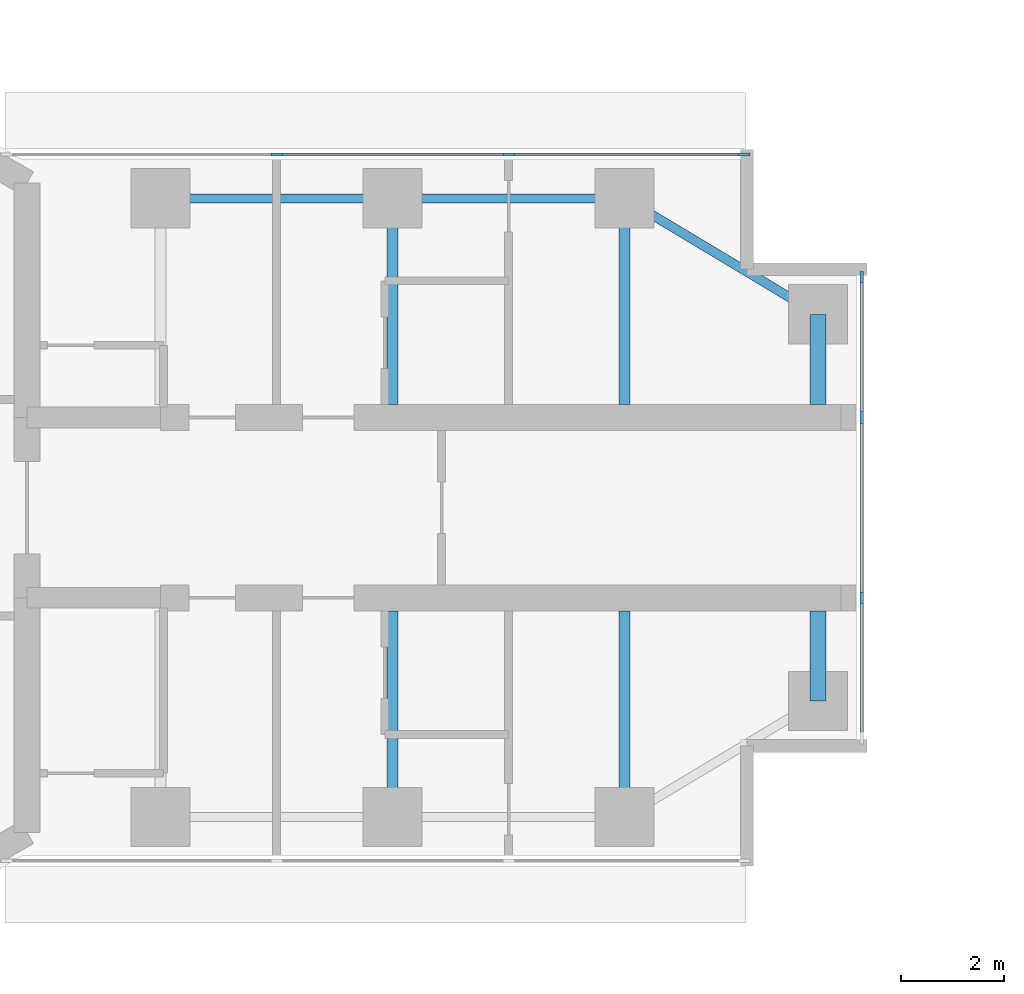
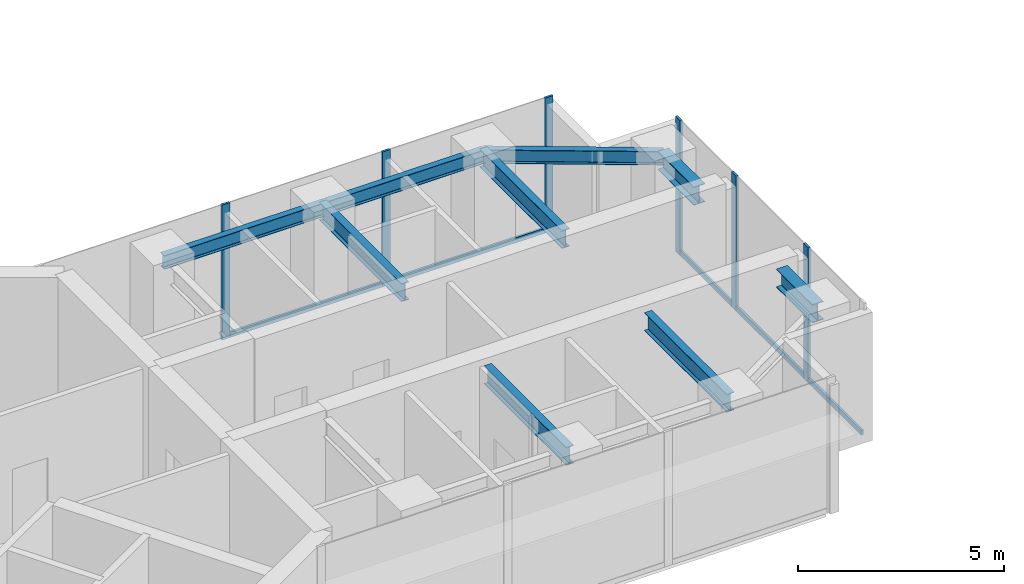
# One storey, part 7 of 17: 11 members, 9 beams, 2 elements without a shape of their own.
"""IFC4 building model written with IfcOpenShell, lengths in metres."""

from ifc_helpers import new_model, si_unit, direction, frame, origin, origin_2d, place, context, subcontext, project, spatial, rectangle, i_section, extrude, material, material_profile, profile_set, type_object, element, aggregate, save


model = new_model("IFC4")

# Units and contexts
model_context = context("Model", 3, precision=1e-05, world=origin(), true_north=direction((0.0, 1.0)))
body_context = subcontext(model_context, "Body", "Model", "MODEL_VIEW")
ifc_project = project(units=[si_unit("LENGTHUNIT", "METRE"), si_unit("AREAUNIT", "SQUARE_METRE"), si_unit("VOLUMEUNIT", "CUBIC_METRE"), si_unit("PLANEANGLEUNIT", "RADIAN"), si_unit("MASSUNIT", "GRAM", prefix="KILO")], contexts=[model_context])

# Site, building, storey
site_placement = place(None, origin())
site = spatial("IfcSite", under=ifc_project, at=site_placement, CompositionType="ELEMENT")
building_placement = place(site_placement, origin())
building = spatial("IfcBuilding", under=site, at=building_placement, Name="Upepo Twin Towers", CompositionType="ELEMENT")
storey_placement = place(building_placement, frame((0.0, 0.0, 206.5)))
storey = spatial("IfcBuildingStorey", under=building, at=storey_placement, Name="L50", CompositionType="ELEMENT", Elevation=206.5)

# Beams
ifc_material_1 = material(Name="Steel S355", Category="steel")
ifc_material_profile_1 = material_profile(ifc_material_1, i_section(OverallWidth=0.177978515625, OverallDepth=0.406494140625, WebThickness=0.0078125, FlangeThickness=0.0126953125, FilletRadius=0.01025390625, at=origin_2d()), Name="UB 406x178x60")
ifc_profile_set_1 = profile_set([ifc_material_profile_1], Name="Steel S355")
beam_type_1 = type_object("IfcBeamType", Name="Beam UB 406x178x60", PredefinedType="BEAM", material=ifc_profile_set_1)
for number, where, z_axis, x_axis, name in (
    (1, (13.5, 6.0, 3.5966796875), (1.0, 0.0, 0.0), (0.0, 1.0, 0.0), "T1 edge beam AL 13.5-18.0"),
    (2, (18.0, 6.0, 3.5966796875), (1.0, 0.0, 0.0), (0.0, 1.0, 0.0), "T1 edge beam AL 18.0-22.5"),
):
    element("IfcBeam", number, at=place(storey_placement, frame(where, z_axis=z_axis, x_axis=x_axis)), inside=storey, type_object=beam_type_1, Name=name, PredefinedType="BEAM", context=body_context, shape_type="SweptSolid", body=[
        extrude(i_section(OverallWidth=0.177978515625, OverallDepth=0.406494140625, WebThickness=0.0078125, FlangeThickness=0.0126953125, FilletRadius=0.01025390625, at=origin_2d()), origin(), (0.0, 0.0, 1.0), 4.5),
    ])
beam_placement = place(storey_placement, frame((22.5, 6.0, 3.5966796875), z_axis=(0.857492925713, -0.514495755428, 0.0), x_axis=(0.514495755428, 0.857492925713, 0.0)))
element("IfcBeam", 3, at=beam_placement, inside=storey, type_object=beam_type_1, Name="T1 nose edge beam AL", PredefinedType="BEAM", context=body_context, shape_type="SweptSolid", body=[
    extrude(i_section(OverallWidth=0.177978515625, OverallDepth=0.406494140625, WebThickness=0.0078125, FlangeThickness=0.0126953125, FilletRadius=0.01025390625, at=origin_2d()), origin(), (0.0, 0.0, 1.0), 4.373291015625),
])
ifc_material_2 = material(Name="Steel S355", Category="steel")
ifc_material_profile_2 = material_profile(ifc_material_2, i_section(OverallWidth=0.209228515625, OverallDepth=0.533203125, WebThickness=0.010009765625, FlangeThickness=0.015625, FilletRadius=0.0126953125, at=origin_2d()), Name="UB 533x210x92")
ifc_profile_set_2 = profile_set([ifc_material_profile_2], Name="Steel S355")
beam_type_2 = type_object("IfcBeamType", Name="Beam UB 533x210x92", PredefinedType="BEAM", material=ifc_profile_set_2)
for number, where, z_axis, x_axis, name in (
    (4, (18.0, 6.0, 3.533447265625), (0.0, -1.0, 0.0), (1.0, 0.0, 0.0), "T1 girder AL at 18.0"),
    (5, (22.5, 6.0, 3.533447265625), (0.0, -1.0, 0.0), (1.0, 0.0, 0.0), "T1 girder AL at 22.5"),
    (6, (18.0, -6.0, 3.533447265625), (0.0, 1.0, 0.0), (-1.0, 0.0, 0.0), "T1 girder AR at 18.0"),
    (7, (22.5, -6.0, 3.533447265625), (0.0, 1.0, 0.0), (-1.0, 0.0, 0.0), "T1 girder AR at 22.5"),
):
    element("IfcBeam", number, at=place(storey_placement, frame(where, z_axis=z_axis, x_axis=x_axis)), inside=storey, type_object=beam_type_2, Name=name, PredefinedType="BEAM", context=body_context, shape_type="SweptSolid", body=[
        extrude(i_section(OverallWidth=0.209228515625, OverallDepth=0.533203125, WebThickness=0.010009765625, FlangeThickness=0.015625, FilletRadius=0.0126953125, at=origin_2d()), origin(), (0.0, 0.0, 1.0), 4.0),
    ])
ifc_material_3 = material(Name="Steel S355", Category="steel")
ifc_material_profile_3 = material_profile(ifc_material_3, i_section(OverallWidth=0.31201171875, OverallDepth=0.54345703125, WebThickness=0.0126953125, FlangeThickness=0.020263671875, FilletRadius=0.0126953125, at=origin_2d()), Name="UB 533x312x150")
ifc_profile_set_3 = profile_set([ifc_material_profile_3], Name="Steel S355")
beam_type_3 = type_object("IfcBeamType", Name="Beam UB 533x312x150", PredefinedType="BEAM", material=ifc_profile_set_3)
for number, where, z_axis, x_axis, name in (
    (8, (26.25, 3.75, 3.5283203125), (0.0, -1.0, 0.0), (1.0, 0.0, 0.0), "T1 nose beam AL"),
    (9, (26.25, -3.75, 3.5283203125), (0.0, 1.0, 0.0), (-1.0, 0.0, 0.0), "T1 nose beam AR"),
):
    element("IfcBeam", number, at=place(storey_placement, frame(where, z_axis=z_axis, x_axis=x_axis)), inside=storey, type_object=beam_type_3, Name=name, PredefinedType="BEAM", context=body_context, shape_type="SweptSolid", body=[
        extrude(i_section(OverallWidth=0.31201171875, OverallDepth=0.54345703125, WebThickness=0.0126953125, FlangeThickness=0.020263671875, FilletRadius=0.0126953125, at=origin_2d()), origin(), (0.0, 0.0, 1.0), 1.75),
    ])

# Curtain wall, members
ifc_material_4 = material(Name="Aluminium and fritted glass", Category="aluminium")
curtain_wall_type = type_object("IfcCurtainWallType", Name="Tower curtain wall TW3, fritted glass", PredefinedType="NOTDEFINED", material=ifc_material_4)
curtain_wall_1_placement = place(storey_placement, origin())
curtain_wall_1 = element("IfcCurtainWall", 10, at=curtain_wall_1_placement, inside=storey, type_object=curtain_wall_type, Name="T1 L50 wing A flank L curtain wall", PredefinedType="NOTDEFINED")
ifc_material_5 = material(Name="Aluminium mullion", Category="aluminium")
ifc_material_profile_4 = material_profile(ifc_material_5, rectangle(XDim=0.06494140625, YDim=0.22509765625, at=origin_2d()), Name="MULLION 65x225")
ifc_profile_set_4 = profile_set([ifc_material_profile_4], Name="Aluminium mullion")
member_type_1 = type_object("IfcMemberType", Name="Mullion 65x225 TW3", PredefinedType="MULLION", material=ifc_profile_set_4)
member_1_placement = place(storey_placement, frame((15.75, 6.85009765625, 0.0), z_axis=(0.0, 0.0, 1.0), x_axis=(0.0, 1.0, 0.0)))
member_1 = element("IfcMember", 11, at=member_1_placement, type_object=member_type_1, Name="T1 L50 wing A flank L curtain wall mullion 2", PredefinedType="MULLION", context=body_context, shape_type="SweptSolid", body=[
    extrude(rectangle(XDim=0.06494140625, YDim=0.22509765625, at=origin_2d()), origin(), (0.0, 0.0, 1.0), 4.0),
])
member_2_placement = place(storey_placement, frame((20.25, 6.85009765625, 0.0), z_axis=(0.0, 0.0, 1.0), x_axis=(0.0, 1.0, 0.0)))
member_2 = element("IfcMember", 12, at=member_2_placement, type_object=member_type_1, Name="T1 L50 wing A flank L curtain wall mullion 3", PredefinedType="MULLION", context=body_context, shape_type="SweptSolid", body=[
    extrude(rectangle(XDim=0.06494140625, YDim=0.22509765625, at=origin_2d()), origin(), (0.0, 0.0, 1.0), 4.0),
])
member_3_placement = place(storey_placement, frame((24.8173828125, 6.85009765625, 0.0), z_axis=(0.0, 0.0, 1.0), x_axis=(0.0, 1.0, 0.0)))
member_3 = element("IfcMember", 13, at=member_3_placement, type_object=member_type_1, Name="T1 L50 wing A flank L curtain wall mullion 4", PredefinedType="MULLION", context=body_context, shape_type="SweptSolid", body=[
    extrude(rectangle(XDim=0.06494140625, YDim=0.22509765625, at=origin_2d()), origin(), (0.0, 0.0, 1.0), 4.0),
])

curtain_wall_2_placement = place(storey_placement, origin())
curtain_wall_2 = element("IfcCurtainWall", 14, at=curtain_wall_2_placement, inside=storey, type_object=curtain_wall_type, Name="T1 L50 wing A nose curtain wall", PredefinedType="NOTDEFINED")
member_4_placement = place(storey_placement, frame((27.10009765625, -1.75, 0.0), z_axis=(0.0, 0.0, 1.0), x_axis=(-1.0, 0.0, 0.0)))
member_4 = element("IfcMember", 15, at=member_4_placement, type_object=member_type_1, Name="T1 L50 wing A nose curtain wall mullion 2", PredefinedType="MULLION", context=body_context, shape_type="SweptSolid", body=[
    extrude(rectangle(XDim=0.06494140625, YDim=0.22509765625, at=origin_2d()), origin(), (0.0, 0.0, 1.0), 4.0),
])
member_5_placement = place(storey_placement, frame((27.10009765625, 1.75, 0.0), z_axis=(0.0, 0.0, 1.0), x_axis=(-1.0, 0.0, 0.0)))
member_5 = element("IfcMember", 16, at=member_5_placement, type_object=member_type_1, Name="T1 L50 wing A nose curtain wall mullion 3", PredefinedType="MULLION", context=body_context, shape_type="SweptSolid", body=[
    extrude(rectangle(XDim=0.06494140625, YDim=0.22509765625, at=origin_2d()), origin(), (0.0, 0.0, 1.0), 4.0),
])
member_6_placement = place(storey_placement, frame((27.10009765625, 4.467529296875, 0.0), z_axis=(0.0, 0.0, 1.0), x_axis=(-1.0, 0.0, 0.0)))
member_6 = element("IfcMember", 17, at=member_6_placement, type_object=member_type_1, Name="T1 L50 wing A nose curtain wall mullion 4", PredefinedType="MULLION", context=body_context, shape_type="SweptSolid", body=[
    extrude(rectangle(XDim=0.06494140625, YDim=0.22509765625, at=origin_2d()), origin(), (0.0, 0.0, 1.0), 4.0),
])

# Member
ifc_material_6 = material(Name="Aluminium transom", Category="aluminium")
ifc_material_profile_5 = material_profile(ifc_material_6, rectangle(XDim=0.06494140625, YDim=0.14990234375, at=origin_2d()), Name="TRANSOM 65x150")
ifc_profile_set_5 = profile_set([ifc_material_profile_5], Name="Aluminium transom")
member_type_2 = type_object("IfcMemberType", Name="Transom 65x150 TW3", PredefinedType="USERDEFINED", material=ifc_profile_set_5)
member_7_placement = place(storey_placement, frame((15.782470703125, 6.85009765625, 0.074951171875), z_axis=(1.0, 0.0, 0.0), x_axis=(0.0, 1.0, 0.0)))
member_7 = element("IfcMember", 18, at=member_7_placement, type_object=member_type_2, Name="T1 L50 wing A flank L curtain wall transom 2", ObjectType="TRANSOM", PredefinedType="USERDEFINED", context=body_context, shape_type="SweptSolid", body=[
    extrude(rectangle(XDim=0.06494140625, YDim=0.14990234375, at=origin_2d()), origin(), (0.0, 0.0, 1.0), 4.43505859375),
])

member_8_placement = place(storey_placement, frame((20.282470703125, 6.85009765625, 0.074951171875), z_axis=(1.0, 0.0, 0.0), x_axis=(0.0, 1.0, 0.0)))
member_8 = element("IfcMember", 19, at=member_8_placement, type_object=member_type_2, Name="T1 L50 wing A flank L curtain wall transom 3", ObjectType="TRANSOM", PredefinedType="USERDEFINED", context=body_context, shape_type="SweptSolid", body=[
    extrude(rectangle(XDim=0.06494140625, YDim=0.14990234375, at=origin_2d()), origin(), (0.0, 0.0, 1.0), 4.50244140625),
])

aggregate(curtain_wall_1, [member_1, member_2, member_3, member_7, member_8])

member_9_placement = place(storey_placement, frame((27.10009765625, -4.43505859375, 0.074951171875), z_axis=(0.0, 1.0, 0.0), x_axis=(-1.0, 0.0, 0.0)))
member_9 = element("IfcMember", 20, at=member_9_placement, type_object=member_type_2, Name="T1 L50 wing A nose curtain wall transom 1", ObjectType="TRANSOM", PredefinedType="USERDEFINED", context=body_context, shape_type="SweptSolid", body=[
    extrude(rectangle(XDim=0.06494140625, YDim=0.14990234375, at=origin_2d()), origin(), (0.0, 0.0, 1.0), 2.652587890625),
])

member_10_placement = place(storey_placement, frame((27.10009765625, -1.717529296875, 0.074951171875), z_axis=(0.0, 1.0, 0.0), x_axis=(-1.0, 0.0, 0.0)))
member_10 = element("IfcMember", 21, at=member_10_placement, type_object=member_type_2, Name="T1 L50 wing A nose curtain wall transom 2", ObjectType="TRANSOM", PredefinedType="USERDEFINED", context=body_context, shape_type="SweptSolid", body=[
    extrude(rectangle(XDim=0.06494140625, YDim=0.14990234375, at=origin_2d()), origin(), (0.0, 0.0, 1.0), 3.43505859375),
])

member_11_placement = place(storey_placement, frame((27.10009765625, 1.782470703125, 0.074951171875), z_axis=(0.0, 1.0, 0.0), x_axis=(-1.0, 0.0, 0.0)))
member_11 = element("IfcMember", 22, at=member_11_placement, type_object=member_type_2, Name="T1 L50 wing A nose curtain wall transom 3", ObjectType="TRANSOM", PredefinedType="USERDEFINED", context=body_context, shape_type="SweptSolid", body=[
    extrude(rectangle(XDim=0.06494140625, YDim=0.14990234375, at=origin_2d()), origin(), (0.0, 0.0, 1.0), 2.652587890625),
])

aggregate(curtain_wall_2, [member_4, member_5, member_6, member_9, member_10, member_11])

save(model, "model.ifc")
